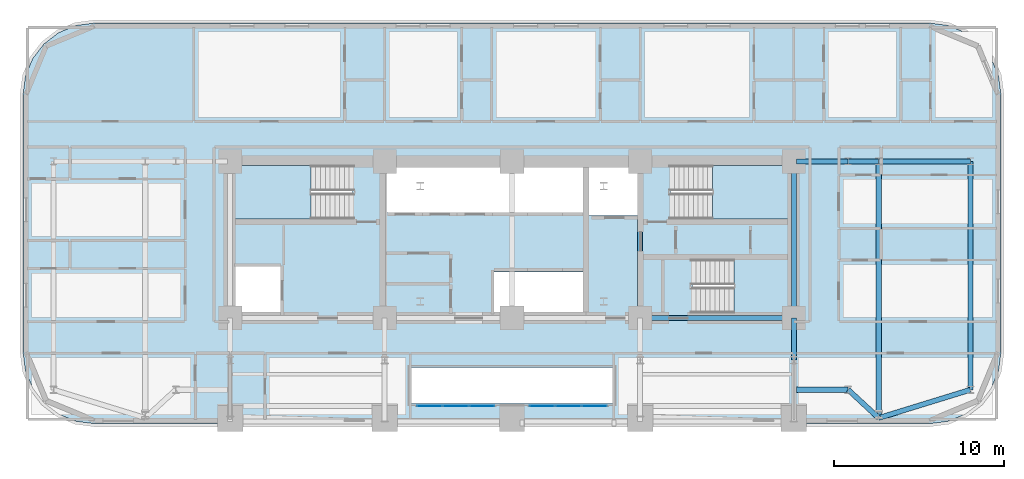
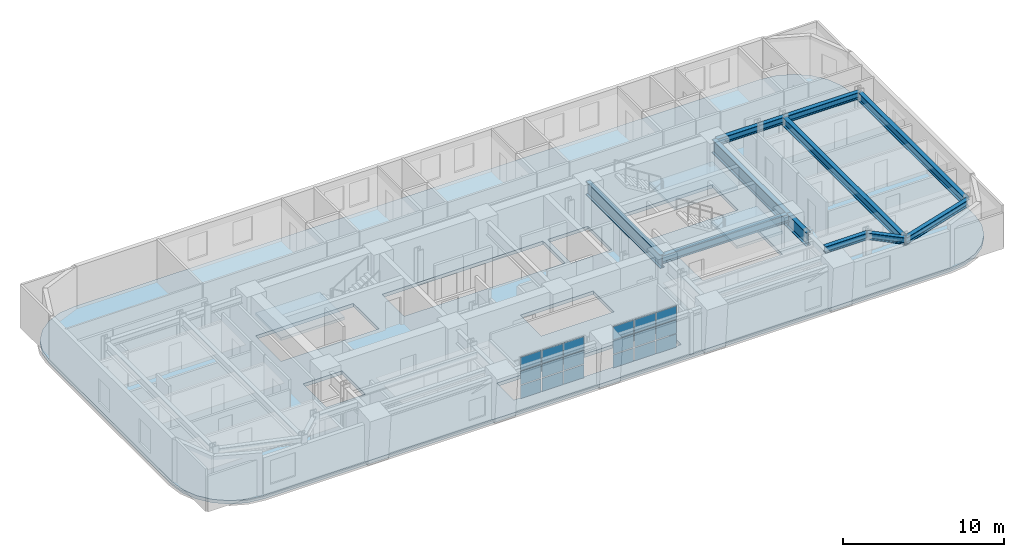
# One storey, part 5 of 16: 18 plates, 12 beams, 4 slabs, 5 elements without a shape of their own.
"""IFC4 building model written with IfcOpenShell, lengths in metres."""

import ifcopenshell
import ifcopenshell.guid

model = None  # the IFC model being written
_history = None  # IfcOwnerHistory: only IFC2X3 demands one
_inside = {}  # id of a spatial element -> (the spatial element, [elements in it])
_under = {}  # id of a project, library or spatial element -> (it, [spatial elements below it])
_declared = {}  # id of a project -> (the project, [libraries it declares])
_typed = {}  # id of a type object -> (the type object, [elements of that type])
_made_of = {}  # id of a material, layer set ... -> (it, [elements and type objects made of it])


def new_model(schema):
    """Start an empty IFC model of exactly this schema.

    Asked for "IFC4X3", IfcOpenShell would pick the latest addendum, in which some entities
    have other attributes; the version numbers below select the first issue.
    IFC2X3 requires an IfcOwnerHistory on every rooted entity: one is made here for all.
    """
    global model, _history
    if schema == "IFC4X3":
        model = ifcopenshell.file(schema_version=(4, 3, 0, 0))
    else:
        model = ifcopenshell.file(schema=schema)
    _inside.clear()
    _under.clear()
    _declared.clear()
    _typed.clear()
    _made_of.clear()
    _history = None
    if model.schema == "IFC2X3":
        org = make("IfcOrganization", Name="unknown")
        user = make(
            "IfcPersonAndOrganization",
            ThePerson=make("IfcPerson", FamilyName="unknown"),
            TheOrganization=org,
        )
        app = make(
            "IfcApplication",
            ApplicationDeveloper=org,
            Version="unknown",
            ApplicationFullName="unknown",
            ApplicationIdentifier="unknown",
        )
        _history = make(
            "IfcOwnerHistory",
            OwningUser=user,
            OwningApplication=app,
            ChangeAction="ADDED",
            CreationDate=0,
        )
    return model


def make(cls, **values):
    """One entity of the class cls with the attributes given. An attribute that is None is left unset."""
    return model.create_entity(
        cls, **{name: value for name, value in values.items() if value is not None}
    )


def rooted(cls, **values):
    """An entity with a GlobalId (a new one), such as an element, a storey or a relation."""
    return make(cls, GlobalId=ifcopenshell.guid.new(), OwnerHistory=_history, **values)


def si_unit(unit_type, name, prefix=None):
    """IfcSIUnit, for example si_unit("LENGTHUNIT", "METRE", prefix="MILLI")."""
    return make("IfcSIUnit", UnitType=unit_type, Prefix=prefix, Name=name)


def assignment(units):
    """IfcUnitAssignment: the units of a project."""
    return None if units is None else make("IfcUnitAssignment", Units=units)


def point(xyz):
    """IfcCartesianPoint."""
    return None if xyz is None else make("IfcCartesianPoint", Coordinates=xyz)


def direction(xyz):
    """IfcDirection."""
    return None if xyz is None else make("IfcDirection", DirectionRatios=xyz)


def frame(location, z_axis=None, x_axis=None):
    """IfcAxis2Placement3D, a coordinate frame: its origin and axes. An axis left out is left unset."""
    return make(
        "IfcAxis2Placement3D",
        Location=point(location),
        Axis=direction(z_axis),
        RefDirection=direction(x_axis),
    )


def frame_2d(location, x_axis=None):
    """IfcAxis2Placement2D, a coordinate frame in the plane: its origin and x axis."""
    return make(
        "IfcAxis2Placement2D", Location=point(location), RefDirection=direction(x_axis)
    )


def origin():
    """The frame at (0, 0, 0) with its axes left unset."""
    return frame((0.0, 0.0, 0.0))


def origin_2d():
    """The frame at (0, 0) in the plane with its x axis left unset."""
    return frame_2d((0.0, 0.0))


def place(relative_to, where):
    """IfcLocalPlacement: puts the frame where relative to a parent placement (None: the world)."""
    return make(
        "IfcLocalPlacement", PlacementRelTo=relative_to, RelativePlacement=where
    )


def context(
    kind, dimensions, precision=None, world=None, true_north=None, identifier=None
):
    """IfcGeometricRepresentationContext, for example the 3D "Model" context."""
    return make(
        "IfcGeometricRepresentationContext",
        ContextIdentifier=identifier,
        ContextType=kind,
        CoordinateSpaceDimension=dimensions,
        Precision=precision,
        WorldCoordinateSystem=world,
        TrueNorth=true_north,
    )


def subcontext(parent, identifier, kind, view, scale=None):
    """IfcGeometricRepresentationSubContext, for example "Body" below "Model"."""
    return make(
        "IfcGeometricRepresentationSubContext",
        ContextIdentifier=identifier,
        ContextType=kind,
        ParentContext=parent,
        TargetScale=scale,
        TargetView=view,
    )


def project(units=None, contexts=None):
    """IfcProject with its units and contexts."""
    return rooted(
        "IfcProject",
        Name="project",
        RepresentationContexts=contexts,
        UnitsInContext=assignment(units),
    )


def spatial(cls, under=None, at=None, **own):
    """A site, building, storey or space (cls), placed at a placement, below another one or the project."""
    s = rooted(cls, ObjectPlacement=at, **own)
    if under is not None:
        _under.setdefault(under.id(), (under, []))[1].append(s)
    return s


def polyline(points):
    """IfcPolyline through the points."""
    return make("IfcPolyline", Points=[point(p) for p in points])


def profile(cls, at=None, kind="AREA", **sizes):
    """A parametric profile (cls). Its sizes go by their IFC names, for example OverallWidth=200.0."""
    return make(cls, ProfileType=kind, Position=at, **sizes)


def rectangle(**sizes):
    """IfcRectangleProfileDef."""
    return profile("IfcRectangleProfileDef", **sizes)


def i_section(**sizes):
    """IfcIShapeProfileDef."""
    return profile("IfcIShapeProfileDef", **sizes)


def outline(outer, holes=None, kind="AREA"):
    """IfcArbitraryClosedProfileDef: a profile drawn as a closed curve; with holes, ...WithVoids."""
    if holes is None:
        return make("IfcArbitraryClosedProfileDef", ProfileType=kind, OuterCurve=outer)
    return make(
        "IfcArbitraryProfileDefWithVoids",
        ProfileType=kind,
        OuterCurve=outer,
        InnerCurves=holes,
    )


def extrude(swept, where, along, depth):
    """IfcExtrudedAreaSolid: the profile swept, set in the frame where, extruded along a direction by depth."""
    return make(
        "IfcExtrudedAreaSolid",
        SweptArea=swept,
        Position=where,
        ExtrudedDirection=direction(along),
        Depth=depth,
    )


def shape(context_of_items, identifier, shape_type, items):
    """IfcShapeRepresentation: the items that make up one representation, for example the "Body"."""
    return make(
        "IfcShapeRepresentation",
        ContextOfItems=context_of_items,
        RepresentationIdentifier=identifier,
        RepresentationType=shape_type,
        Items=items,
    )


def material(Name=None, Category=None):
    """IfcMaterial."""
    return make("IfcMaterial", Name=Name, Category=Category)


def layer(
    of_material, thickness, ventilated=None, Name=None, Category=None, Priority=None
):
    """IfcMaterialLayer: one layer of a wall or slab, of a material (None: an air gap)."""
    return make(
        "IfcMaterialLayer",
        Material=of_material,
        LayerThickness=thickness,
        IsVentilated=ventilated,
        Name=Name,
        Category=Category,
        Priority=Priority,
    )


def layer_set(layers, Name=None):
    """IfcMaterialLayerSet."""
    return make("IfcMaterialLayerSet", MaterialLayers=layers, LayerSetName=Name)


def material_profile(
    of_material, cross_section, Name=None, Category=None, Priority=None
):
    """IfcMaterialProfile: a cross section and its material."""
    return make(
        "IfcMaterialProfile",
        Name=Name,
        Material=of_material,
        Profile=cross_section,
        Priority=Priority,
        Category=Category,
    )


def profile_set(profiles, Name=None, composite=None):
    """IfcMaterialProfileSet."""
    return make(
        "IfcMaterialProfileSet",
        Name=Name,
        MaterialProfiles=profiles,
        CompositeProfile=composite,
    )


def made_of(thing, what):
    """Note that an element or type object is made of a material, layer set ...; save() writes the relation."""
    if what is not None:
        _made_of.setdefault(what.id(), (what, []))[1].append(thing)
    return thing


def type_object(cls, material=None, **own):
    """A type object (cls), such as IfcWallType, which elements share."""
    return made_of(rooted(cls, **own), material)


def element(
    cls,
    number,
    at=None,
    inside=None,
    cuts=None,
    type_object=None,
    material=None,
    context=None,
    identifier="Body",
    shape_type=None,
    held_by="IfcProductDefinitionShape",
    body=None,
    shapes=None,
    **own,
):
    """One element of the class cls, such as IfcWall. Its Tag is "e" and its number.

    at: its placement. inside: the storey or other place that contains it. cuts: it is an
    opening in that element (IfcRelVoidsElement). A single representation is given by context,
    identifier, shape_type and body (its items); several are given by shapes. held_by: the class
    of the entity that holds the representations. save() writes the other relations.
    """
    e = rooted(cls, Tag="e%d" % number, ObjectPlacement=at, **own)
    if body is not None:
        shapes = [shape(context, identifier, shape_type, body)]
    if shapes is not None:
        e.Representation = make(held_by, Representations=shapes)
    if inside is not None:
        _inside.setdefault(inside.id(), (inside, []))[1].append(e)
    if cuts is not None:
        rooted(
            "IfcRelVoidsElement", RelatingBuildingElement=cuts, RelatedOpeningElement=e
        )
    if type_object is not None:
        _typed.setdefault(type_object.id(), (type_object, []))[1].append(e)
    return made_of(e, material)


def aggregate(whole, parts):
    """IfcRelAggregates: a whole, such as a stair, and the parts it consists of."""
    return rooted("IfcRelAggregates", RelatingObject=whole, RelatedObjects=parts)


def save(model, path):
    """Write the relations noted so far, then the file.

    IfcRelAggregates (storeys below a building ...), IfcRelContainedInSpatialStructure (elements
    in a storey), IfcRelDefinesByType, IfcRelAssociatesMaterial and IfcRelDeclares: one each for
    every whole, place, type object, material and project.
    """
    for whole, parts in _under.values():
        aggregate(whole, parts)
    for where, things in _inside.values():
        rooted(
            "IfcRelContainedInSpatialStructure",
            RelatedElements=things,
            RelatingStructure=where,
        )
    for kind, things in _typed.values():
        rooted("IfcRelDefinesByType", RelatedObjects=things, RelatingType=kind)
    for what, things in _made_of.values():
        rooted("IfcRelAssociatesMaterial", RelatedObjects=things, RelatingMaterial=what)
    for by, libraries in _declared.values():
        rooted("IfcRelDeclares", RelatingContext=by, RelatedDefinitions=libraries)
    model.write(path)


model = new_model("IFC4")

# Units and contexts
model_context = context("Model", 3, precision=1e-05, world=origin(), true_north=direction((0.0, 1.0)))
body_context = subcontext(model_context, "Body", "Model", "MODEL_VIEW")
ifc_project = project(units=[si_unit("LENGTHUNIT", "METRE"), si_unit("AREAUNIT", "SQUARE_METRE"), si_unit("VOLUMEUNIT", "CUBIC_METRE"), si_unit("PLANEANGLEUNIT", "RADIAN"), si_unit("MASSUNIT", "GRAM", prefix="KILO")], contexts=[model_context])

# Site, building, storey
site_placement = place(None, origin())
site = spatial("IfcSite", under=ifc_project, at=site_placement, CompositionType="ELEMENT")
building_placement = place(site_placement, origin())
building = spatial("IfcBuilding", under=site, at=building_placement, Name="Zarnavel Station Tower", CompositionType="ELEMENT")
storey_placement = place(building_placement, frame((0.0, 0.0, 46.5)))
storey = spatial("IfcBuildingStorey", under=building, at=storey_placement, Name="L12", CompositionType="ELEMENT", Elevation=46.5)

# Beams
ifc_material_1 = material(Name="Steel S355J2", Category="steel")
ifc_material_profile_1 = material_profile(ifc_material_1, i_section(OverallWidth=0.300048828125, OverallDepth=0.5, WebThickness=0.014404296875, FlangeThickness=0.028076171875, FilletRadius=0.027099609375, at=origin_2d()), Name="HEB500")
ifc_profile_set_1 = profile_set([ifc_material_profile_1], Name="Steel S355J2")
beam_type_1 = type_object("IfcBeamType", Name="FG_HEB500", PredefinedType="USERDEFINED", material=ifc_profile_set_1)
for number, where, z_axis, x_axis, name in (
    (1, (45.544921875, 23.60009765625, 2.989990234375), (1.0, 0.0, 0.0), (0.0, 1.0, 0.0), "L12 East Wing South Tie 1"),
    (2, (45.544921875, 37.050048828125, 2.989990234375), (1.0, 0.0, 0.0), (0.0, 1.0, 0.0), "L12 East Wing North Tie 1"),
):
    element("IfcBeam", number, at=place(storey_placement, frame(where, z_axis=z_axis, x_axis=x_axis)), inside=storey, type_object=beam_type_1, Name=name, ObjectType="GIRDER", PredefinedType="USERDEFINED", context=body_context, shape_type="SweptSolid", body=[
        extrude(i_section(OverallWidth=0.300048828125, OverallDepth=0.5, WebThickness=0.014404296875, FlangeThickness=0.028076171875, FilletRadius=0.027099609375, at=origin_2d()), origin(), (0.0, 0.0, 1.0), 3.05517578125),
    ])
beam_1_placement = place(storey_placement, frame((48.60009765625, 23.60009765625, 2.989990234375), z_axis=(0.734600933381, -0.678499424226, 0.0), x_axis=(0.678499424226, 0.734600933381, 0.0)))
element("IfcBeam", 3, at=beam_1_placement, inside=storey, type_object=beam_type_1, Name="L12 East Wing South Tie 2", ObjectType="GIRDER", PredefinedType="USERDEFINED", context=body_context, shape_type="SweptSolid", body=[
    extrude(i_section(OverallWidth=0.300048828125, OverallDepth=0.5, WebThickness=0.014404296875, FlangeThickness=0.028076171875, FilletRadius=0.027099609375, at=origin_2d()), origin(), (0.0, 0.0, 1.0), 2.449951171875),
])
beam_2_placement = place(storey_placement, frame((48.60009765625, 37.050048828125, 2.989990234375), z_axis=(1.0, 0.0, 0.0), x_axis=(0.0, 1.0, 0.0)))
element("IfcBeam", 4, at=beam_2_placement, inside=storey, type_object=beam_type_1, Name="L12 East Wing North Tie 2", ObjectType="GIRDER", PredefinedType="USERDEFINED", context=body_context, shape_type="SweptSolid", body=[
    extrude(i_section(OverallWidth=0.300048828125, OverallDepth=0.5, WebThickness=0.014404296875, FlangeThickness=0.028076171875, FilletRadius=0.027099609375, at=origin_2d()), origin(), (0.0, 0.0, 1.0), 1.7998046875),
])
beam_3_placement = place(storey_placement, frame((50.39990234375, 21.937744140625, 2.989990234375), z_axis=(0.955740696387, 0.294210335083, 0.0), x_axis=(-0.294210335083, 0.955740696387, 0.0)))
element("IfcBeam", 5, at=beam_3_placement, inside=storey, type_object=beam_type_1, Name="L12 East Wing South Tie 3", ObjectType="GIRDER", PredefinedType="USERDEFINED", context=body_context, shape_type="SweptSolid", body=[
    extrude(i_section(OverallWidth=0.300048828125, OverallDepth=0.5, WebThickness=0.014404296875, FlangeThickness=0.028076171875, FilletRadius=0.027099609375, at=origin_2d()), origin(), (0.0, 0.0, 1.0), 5.650146484375),
])
beam_4_placement = place(storey_placement, frame((50.39990234375, 37.050048828125, 2.989990234375), z_axis=(1.0, 0.0, 0.0), x_axis=(0.0, 1.0, 0.0)))
element("IfcBeam", 6, at=beam_4_placement, inside=storey, type_object=beam_type_1, Name="L12 East Wing North Tie 3", ObjectType="GIRDER", PredefinedType="USERDEFINED", context=body_context, shape_type="SweptSolid", body=[
    extrude(i_section(OverallWidth=0.300048828125, OverallDepth=0.5, WebThickness=0.014404296875, FlangeThickness=0.028076171875, FilletRadius=0.027099609375, at=origin_2d()), origin(), (0.0, 0.0, 1.0), 5.400146484375),
])
ifc_material_2 = material(Name="Steel S355J2", Category="steel")
ifc_material_profile_2 = material_profile(ifc_material_2, i_section(OverallWidth=0.300048828125, OverallDepth=0.60009765625, WebThickness=0.015380859375, FlangeThickness=0.030029296875, FilletRadius=0.027099609375, at=origin_2d()), Name="HEB600")
ifc_profile_set_2 = profile_set([ifc_material_profile_2], Name="Steel S355J2")
beam_type_2 = type_object("IfcBeamType", Name="FG_HEB600", PredefinedType="USERDEFINED", material=ifc_profile_set_2)
beam_5_placement = place(storey_placement, frame((36.35009765625, 27.820068359375, 2.93994140625), z_axis=(1.0, 0.0, 0.0), x_axis=(0.0, 1.0, 0.0)))
element("IfcBeam", 7, at=beam_5_placement, inside=storey, type_object=beam_type_2, Name="L12 Core Front Coupling Beam 4", ObjectType="GIRDER", PredefinedType="USERDEFINED", context=body_context, shape_type="SweptSolid", body=[
    extrude(i_section(OverallWidth=0.300048828125, OverallDepth=0.60009765625, WebThickness=0.015380859375, FlangeThickness=0.030029296875, FilletRadius=0.027099609375, at=origin_2d()), origin(), (0.0, 0.0, 1.0), 9.0498046875),
])
ifc_material_3 = material(Name="Steel S355J2", Category="steel")
ifc_material_profile_3 = material_profile(ifc_material_3, i_section(OverallWidth=0.300048828125, OverallDepth=0.64990234375, WebThickness=0.01611328125, FlangeThickness=0.031005859375, FilletRadius=0.027099609375, at=origin_2d()), Name="HEB650")
ifc_profile_set_3 = profile_set([ifc_material_profile_3], Name="Steel S355J2")
beam_type_3 = type_object("IfcBeamType", Name="FG_HEB650", PredefinedType="USERDEFINED", material=ifc_profile_set_3)
beam_6_placement = place(storey_placement, frame((50.39990234375, 21.937744140625, 2.9150390625), z_axis=(0.0, 1.0, 0.0), x_axis=(-1.0, 0.0, 0.0)))
element("IfcBeam", 8, at=beam_6_placement, inside=storey, type_object=beam_type_3, Name="L12 Wing NS Girder 3", ObjectType="GIRDER", PredefinedType="USERDEFINED", context=body_context, shape_type="SweptSolid", body=[
    extrude(i_section(OverallWidth=0.300048828125, OverallDepth=0.64990234375, WebThickness=0.01611328125, FlangeThickness=0.031005859375, FilletRadius=0.027099609375, at=origin_2d()), origin(), (0.0, 0.0, 1.0), 15.1123046875),
])
beam_7_placement = place(storey_placement, frame((55.800048828125, 23.60009765625, 2.9150390625), z_axis=(0.0, 1.0, 0.0), x_axis=(-1.0, 0.0, 0.0)))
element("IfcBeam", 9, at=beam_7_placement, inside=storey, type_object=beam_type_3, Name="L12 Wing NS Girder 4", ObjectType="GIRDER", PredefinedType="USERDEFINED", context=body_context, shape_type="SweptSolid", body=[
    extrude(i_section(OverallWidth=0.300048828125, OverallDepth=0.64990234375, WebThickness=0.01611328125, FlangeThickness=0.031005859375, FilletRadius=0.027099609375, at=origin_2d()), origin(), (0.0, 0.0, 1.0), 13.449951171875),
])
ifc_material_4 = material(Name="Steel S460M", Category="steel")
ifc_material_profile_4 = material_profile(ifc_material_4, i_section(OverallWidth=0.302001953125, OverallDepth=1.008056640625, WebThickness=0.02099609375, FlangeThickness=0.0400390625, FilletRadius=0.030029296875, at=origin_2d()), Name="HEM1000")
ifc_profile_set_4 = profile_set([ifc_material_profile_4], Name="Steel S460M")
beam_type_4 = type_object("IfcBeamType", Name="TG_HEM1000", PredefinedType="USERDEFINED", material=ifc_profile_set_4)
for number, where, z_axis, x_axis, name in (
    (10, (36.35009765625, 27.820068359375, 2.736083984375), (0.0, 1.0, 0.0), (-1.0, 0.0, 0.0), "L12 Core Spine Coupling Girder 4"),
    (11, (45.39990234375, 27.820068359375, 2.736083984375), (0.0, 1.0, 0.0), (-1.0, 0.0, 0.0), "L12 Core Spine Coupling Girder 5"),
):
    element("IfcBeam", number, at=place(storey_placement, frame(where, z_axis=z_axis, x_axis=x_axis)), inside=storey, type_object=beam_type_4, Name=name, ObjectType="GIRDER", PredefinedType="USERDEFINED", context=body_context, shape_type="SweptSolid", body=[
        extrude(i_section(OverallWidth=0.302001953125, OverallDepth=1.008056640625, WebThickness=0.02099609375, FlangeThickness=0.0400390625, FilletRadius=0.030029296875, at=origin_2d()), origin(), (0.0, 0.0, 1.0), 9.22998046875),
    ])
beam_8_placement = place(storey_placement, frame((45.39990234375, 25.35009765625, 2.736083984375), z_axis=(0.0, 1.0, 0.0), x_axis=(-1.0, 0.0, 0.0)))
element("IfcBeam", 12, at=beam_8_placement, inside=storey, type_object=beam_type_4, Name="L12 Inner-Zone NS Girder 5", ObjectType="GIRDER", PredefinedType="USERDEFINED", context=body_context, shape_type="SweptSolid", body=[
    extrude(i_section(OverallWidth=0.302001953125, OverallDepth=1.008056640625, WebThickness=0.02099609375, FlangeThickness=0.0400390625, FilletRadius=0.030029296875, at=origin_2d()), origin(), (0.0, 0.0, 1.0), 2.469970703125),
])

# Curtain wall, plates
ifc_material_5 = material(Name="Aluminium Dark Anodised and Solar-Control Glass", Category="aluminium")
ifc_layer_1 = layer(ifc_material_5, 0.179931640625)
ifc_layer_set_1 = layer_set([ifc_layer_1], Name="CWS2")
curtain_wall_type = type_object("IfcCurtainWallType", Name="CWS2", PredefinedType="NOTDEFINED", material=ifc_layer_set_1)
curtain_wall_1_placement = place(storey_placement, origin())
curtain_wall_1 = element("IfcCurtainWall", 13, at=curtain_wall_1_placement, inside=storey, type_object=curtain_wall_type, Name="L12 Curtain Wall CWS2-L12-AS-S1", PredefinedType="NOTDEFINED")
ifc_material_6 = material(Name="Double Low-E Dark Solar-Control Glass", Category="glass")
ifc_layer_2 = layer(ifc_material_6, 0.028076171875)
ifc_layer_set_2 = layer_set([ifc_layer_2], Name="CWS2_PNL")
plate_type = type_object("IfcPlateType", Name="CWS2_PNL", PredefinedType="CURTAIN_PANEL", material=ifc_layer_set_2)
plate_1_placement = place(storey_placement, frame((23.943359375, 22.64990234375, 0.06005859375), z_axis=(0.0, 0.0, 1.0), x_axis=(1.0, 0.0, 0.0)))
plate_1 = element("IfcPlate", 14, at=plate_1_placement, type_object=plate_type, Name="CW2 panel 1.1", PredefinedType="CURTAIN_PANEL", context=body_context, shape_type="SweptSolid", body=[
    extrude(rectangle(XDim=1.466552734375, YDim=0.028076171875, at=origin_2d()), origin(), (0.0, 0.0, 1.0), 0.989990234375),
])
plate_2_placement = place(storey_placement, frame((23.943359375, 22.64990234375, 1.110107421875), z_axis=(0.0, 0.0, 1.0), x_axis=(1.0, 0.0, 0.0)))
plate_2 = element("IfcPlate", 15, at=plate_2_placement, type_object=plate_type, Name="CW2 panel 1.2", PredefinedType="CURTAIN_PANEL", context=body_context, shape_type="SweptSolid", body=[
    extrude(rectangle(XDim=1.466552734375, YDim=0.028076171875, at=origin_2d()), origin(), (0.0, 0.0, 1.0), 1.02001953125),
])
plate_3_placement = place(storey_placement, frame((23.943359375, 22.64990234375, 2.18994140625), z_axis=(0.0, 0.0, 1.0), x_axis=(1.0, 0.0, 0.0)))
plate_3 = element("IfcPlate", 16, at=plate_3_placement, type_object=plate_type, Name="CW2 panel 1.3", PredefinedType="CURTAIN_PANEL", context=body_context, shape_type="SweptSolid", body=[
    extrude(rectangle(XDim=1.466552734375, YDim=0.028076171875, at=origin_2d()), origin(), (0.0, 0.0, 1.0), 0.989990234375),
])
plate_4_placement = place(storey_placement, frame((25.485107421875, 22.64990234375, 0.06005859375), z_axis=(0.0, 0.0, 1.0), x_axis=(1.0, 0.0, 0.0)))
plate_4 = element("IfcPlate", 17, at=plate_4_placement, type_object=plate_type, Name="CW2 panel 2.1", PredefinedType="CURTAIN_PANEL", context=body_context, shape_type="SweptSolid", body=[
    extrude(rectangle(XDim=1.49658203125, YDim=0.028076171875, at=origin_2d()), origin(), (0.0, 0.0, 1.0), 0.989990234375),
])
plate_5_placement = place(storey_placement, frame((25.485107421875, 22.64990234375, 1.110107421875), z_axis=(0.0, 0.0, 1.0), x_axis=(1.0, 0.0, 0.0)))
plate_5 = element("IfcPlate", 18, at=plate_5_placement, type_object=plate_type, Name="CW2 panel 2.2", PredefinedType="CURTAIN_PANEL", context=body_context, shape_type="SweptSolid", body=[
    extrude(rectangle(XDim=1.49658203125, YDim=0.028076171875, at=origin_2d()), origin(), (0.0, 0.0, 1.0), 1.02001953125),
])
plate_6_placement = place(storey_placement, frame((25.485107421875, 22.64990234375, 2.18994140625), z_axis=(0.0, 0.0, 1.0), x_axis=(1.0, 0.0, 0.0)))
plate_6 = element("IfcPlate", 19, at=plate_6_placement, type_object=plate_type, Name="CW2 panel 2.3", PredefinedType="CURTAIN_PANEL", context=body_context, shape_type="SweptSolid", body=[
    extrude(rectangle(XDim=1.49658203125, YDim=0.028076171875, at=origin_2d()), origin(), (0.0, 0.0, 1.0), 0.989990234375),
])
plate_7_placement = place(storey_placement, frame((27.026611328125, 22.64990234375, 0.06005859375), z_axis=(0.0, 0.0, 1.0), x_axis=(1.0, 0.0, 0.0)))
plate_7 = element("IfcPlate", 20, at=plate_7_placement, type_object=plate_type, Name="CW2 panel 3.1", PredefinedType="CURTAIN_PANEL", context=body_context, shape_type="SweptSolid", body=[
    extrude(rectangle(XDim=1.466552734375, YDim=0.028076171875, at=origin_2d()), origin(), (0.0, 0.0, 1.0), 0.989990234375),
])
plate_8_placement = place(storey_placement, frame((27.026611328125, 22.64990234375, 1.110107421875), z_axis=(0.0, 0.0, 1.0), x_axis=(1.0, 0.0, 0.0)))
plate_8 = element("IfcPlate", 21, at=plate_8_placement, type_object=plate_type, Name="CW2 panel 3.2", PredefinedType="CURTAIN_PANEL", context=body_context, shape_type="SweptSolid", body=[
    extrude(rectangle(XDim=1.466552734375, YDim=0.028076171875, at=origin_2d()), origin(), (0.0, 0.0, 1.0), 1.02001953125),
])
plate_9_placement = place(storey_placement, frame((27.026611328125, 22.64990234375, 2.18994140625), z_axis=(0.0, 0.0, 1.0), x_axis=(1.0, 0.0, 0.0)))
plate_9 = element("IfcPlate", 22, at=plate_9_placement, type_object=plate_type, Name="CW2 panel 3.3", PredefinedType="CURTAIN_PANEL", context=body_context, shape_type="SweptSolid", body=[
    extrude(rectangle(XDim=1.466552734375, YDim=0.028076171875, at=origin_2d()), origin(), (0.0, 0.0, 1.0), 0.989990234375),
])
aggregate(curtain_wall_1, [plate_1, plate_2, plate_3, plate_4, plate_5, plate_6, plate_7, plate_8, plate_9])

curtain_wall_2_placement = place(storey_placement, origin())
curtain_wall_2 = element("IfcCurtainWall", 23, at=curtain_wall_2_placement, inside=storey, type_object=curtain_wall_type, Name="L12 Curtain Wall CWS2-L12-AS-S2", PredefinedType="NOTDEFINED")
plate_10_placement = place(storey_placement, frame((30.5732421875, 22.64990234375, 0.06005859375), z_axis=(0.0, 0.0, 1.0), x_axis=(1.0, 0.0, 0.0)))
plate_10 = element("IfcPlate", 24, at=plate_10_placement, type_object=plate_type, Name="CW2 panel 1.1", PredefinedType="CURTAIN_PANEL", context=body_context, shape_type="SweptSolid", body=[
    extrude(rectangle(XDim=1.466552734375, YDim=0.028076171875, at=origin_2d()), origin(), (0.0, 0.0, 1.0), 0.989990234375),
])
plate_11_placement = place(storey_placement, frame((30.5732421875, 22.64990234375, 1.110107421875), z_axis=(0.0, 0.0, 1.0), x_axis=(1.0, 0.0, 0.0)))
plate_11 = element("IfcPlate", 25, at=plate_11_placement, type_object=plate_type, Name="CW2 panel 1.2", PredefinedType="CURTAIN_PANEL", context=body_context, shape_type="SweptSolid", body=[
    extrude(rectangle(XDim=1.466552734375, YDim=0.028076171875, at=origin_2d()), origin(), (0.0, 0.0, 1.0), 1.02001953125),
])
plate_12_placement = place(storey_placement, frame((30.5732421875, 22.64990234375, 2.18994140625), z_axis=(0.0, 0.0, 1.0), x_axis=(1.0, 0.0, 0.0)))
plate_12 = element("IfcPlate", 26, at=plate_12_placement, type_object=plate_type, Name="CW2 panel 1.3", PredefinedType="CURTAIN_PANEL", context=body_context, shape_type="SweptSolid", body=[
    extrude(rectangle(XDim=1.466552734375, YDim=0.028076171875, at=origin_2d()), origin(), (0.0, 0.0, 1.0), 0.989990234375),
])
plate_13_placement = place(storey_placement, frame((32.114990234375, 22.64990234375, 0.06005859375), z_axis=(0.0, 0.0, 1.0), x_axis=(1.0, 0.0, 0.0)))
plate_13 = element("IfcPlate", 27, at=plate_13_placement, type_object=plate_type, Name="CW2 panel 2.1", PredefinedType="CURTAIN_PANEL", context=body_context, shape_type="SweptSolid", body=[
    extrude(rectangle(XDim=1.49658203125, YDim=0.028076171875, at=origin_2d()), origin(), (0.0, 0.0, 1.0), 0.989990234375),
])
plate_14_placement = place(storey_placement, frame((32.114990234375, 22.64990234375, 1.110107421875), z_axis=(0.0, 0.0, 1.0), x_axis=(1.0, 0.0, 0.0)))
plate_14 = element("IfcPlate", 28, at=plate_14_placement, type_object=plate_type, Name="CW2 panel 2.2", PredefinedType="CURTAIN_PANEL", context=body_context, shape_type="SweptSolid", body=[
    extrude(rectangle(XDim=1.49658203125, YDim=0.028076171875, at=origin_2d()), origin(), (0.0, 0.0, 1.0), 1.02001953125),
])
plate_15_placement = place(storey_placement, frame((32.114990234375, 22.64990234375, 2.18994140625), z_axis=(0.0, 0.0, 1.0), x_axis=(1.0, 0.0, 0.0)))
plate_15 = element("IfcPlate", 29, at=plate_15_placement, type_object=plate_type, Name="CW2 panel 2.3", PredefinedType="CURTAIN_PANEL", context=body_context, shape_type="SweptSolid", body=[
    extrude(rectangle(XDim=1.49658203125, YDim=0.028076171875, at=origin_2d()), origin(), (0.0, 0.0, 1.0), 0.989990234375),
])
plate_16_placement = place(storey_placement, frame((33.65673828125, 22.64990234375, 0.06005859375), z_axis=(0.0, 0.0, 1.0), x_axis=(1.0, 0.0, 0.0)))
plate_16 = element("IfcPlate", 30, at=plate_16_placement, type_object=plate_type, Name="CW2 panel 3.1", PredefinedType="CURTAIN_PANEL", context=body_context, shape_type="SweptSolid", body=[
    extrude(rectangle(XDim=1.466552734375, YDim=0.028076171875, at=origin_2d()), origin(), (0.0, 0.0, 1.0), 0.989990234375),
])
plate_17_placement = place(storey_placement, frame((33.65673828125, 22.64990234375, 1.110107421875), z_axis=(0.0, 0.0, 1.0), x_axis=(1.0, 0.0, 0.0)))
plate_17 = element("IfcPlate", 31, at=plate_17_placement, type_object=plate_type, Name="CW2 panel 3.2", PredefinedType="CURTAIN_PANEL", context=body_context, shape_type="SweptSolid", body=[
    extrude(rectangle(XDim=1.466552734375, YDim=0.028076171875, at=origin_2d()), origin(), (0.0, 0.0, 1.0), 1.02001953125),
])
plate_18_placement = place(storey_placement, frame((33.65673828125, 22.64990234375, 2.18994140625), z_axis=(0.0, 0.0, 1.0), x_axis=(1.0, 0.0, 0.0)))
plate_18 = element("IfcPlate", 32, at=plate_18_placement, type_object=plate_type, Name="CW2 panel 3.3", PredefinedType="CURTAIN_PANEL", context=body_context, shape_type="SweptSolid", body=[
    extrude(rectangle(XDim=1.466552734375, YDim=0.028076171875, at=origin_2d()), origin(), (0.0, 0.0, 1.0), 0.989990234375),
])
aggregate(curtain_wall_2, [plate_10, plate_11, plate_12, plate_13, plate_14, plate_15, plate_16, plate_17, plate_18])

# Slab
ifc_material_7 = material(Name="Concrete C45/55", Category="concrete")
ifc_layer_3 = layer(ifc_material_7, 0.260009765625)
ifc_layer_set_3 = layer_set([ifc_layer_3], Name="SL_FLR_260")
slab_type_1 = type_object("IfcSlabType", Name="SL_FLR_260", PredefinedType="FLOOR", material=ifc_layer_set_3)
slab_1_placement = place(storey_placement, frame((0.0, 0.0, -0.260009765625)))
element("IfcSlab", 33, at=slab_1_placement, inside=storey, type_object=slab_type_1, Name="L12 Structural Floor Slab", PredefinedType="FLOOR", context=body_context, shape_type="SweptSolid", body=[
    extrude(outline(polyline([(53.39990234375, 21.60009765625), (54.487060546875, 21.7431640625), (55.5, 22.16259765625), (56.369873046875, 22.830078125), (57.037353515625, 23.699951171875), (57.456787109375, 24.712890625), (57.60009765625, 25.800048828125), (57.60009765625, 41.0), (57.456787109375, 42.0869140625), (57.037353515625, 43.10009765625), (56.369873046875, 43.9697265625), (55.5, 44.63720703125), (54.487060546875, 45.056884765625), (53.39990234375, 45.199951171875), (4.199951171875, 45.199951171875), (3.113037109375, 45.056884765625), (2.10009765625, 44.63720703125), (1.230224609375, 43.9697265625), (0.562744140625, 43.10009765625), (0.14306640625, 42.0869140625), (0.0, 41.0), (0.0, 25.800048828125), (0.14306640625, 24.712890625), (0.562744140625, 23.699951171875), (1.230224609375, 22.830078125), (2.10009765625, 22.16259765625), (3.113037109375, 21.7431640625), (4.199951171875, 21.60009765625), (53.39990234375, 21.60009765625)]), holes=[polyline([(12.39990234375, 33.659912109375), (19.409912109375, 33.659912109375), (19.409912109375, 36.820068359375), (12.39990234375, 36.820068359375), (12.39990234375, 33.659912109375)]), polyline([(38.14990234375, 33.659912109375), (45.159912109375, 33.659912109375), (45.159912109375, 36.820068359375), (38.14990234375, 36.820068359375), (38.14990234375, 33.659912109375)]), polyline([(39.419921875, 28.1201171875), (45.14990234375, 28.1201171875), (45.14990234375, 31.280029296875), (39.419921875, 31.280029296875), (39.419921875, 28.1201171875)]), polyline([(12.35009765625, 27.949951171875), (15.14990234375, 27.949951171875), (15.14990234375, 30.85009765625), (12.35009765625, 30.85009765625), (12.35009765625, 27.949951171875)]), polyline([(33.320068359375, 33.85009765625), (36.2099609375, 33.85009765625), (36.2099609375, 36.780029296875), (33.320068359375, 36.780029296875), (33.320068359375, 33.85009765625)]), polyline([(21.449951171875, 34.050048828125), (32.97998046875, 34.050048828125), (32.97998046875, 36.780029296875), (21.449951171875, 36.780029296875), (21.449951171875, 34.050048828125)]), polyline([(27.75, 27.949951171875), (32.97998046875, 27.949951171875), (32.97998046875, 30.550048828125), (27.75, 30.550048828125), (27.75, 27.949951171875)]), polyline([(22.800048828125, 22.800048828125), (34.800048828125, 22.800048828125), (34.800048828125, 24.89990234375), (22.800048828125, 24.89990234375), (22.800048828125, 22.800048828125)])]), origin(), (0.0, 0.0, 1.0), 0.260009765625),
])

# Stair, slab
ifc_material_8 = material(Name="Concrete C45/55", Category="concrete")
stair_type = type_object("IfcStairType", Name="ST_CORE_150", PredefinedType="HALF_TURN_STAIR", material=ifc_material_8)
stair_1_placement = place(storey_placement, origin())
stair_1 = element("IfcStair", 34, at=stair_1_placement, inside=storey, type_object=stair_type, Name="L12 Core Exit Stair ST1", PredefinedType="HALF_TURN_STAIR")
ifc_material_9 = material(Name="Concrete C45/55", Category="concrete")
ifc_layer_4 = layer(ifc_material_9, 0.199951171875)
ifc_layer_set_4 = layer_set([ifc_layer_4], Name="SL_STAIR_LAND_200")
slab_type_2 = type_object("IfcSlabType", Name="SL_STAIR_LAND_200", PredefinedType="LANDING", material=ifc_layer_set_4)
slab_2_placement = place(storey_placement, frame((0.0, 0.0, 1.550048828125)))
slab_2 = element("IfcSlab", 35, at=slab_2_placement, type_object=slab_type_2, Name="ST1 landing 1", PredefinedType="LANDING", context=body_context, shape_type="SweptSolid", body=[
    extrude(outline(polyline([(16.9599609375, 36.820068359375), (12.39990234375, 36.820068359375), (12.39990234375, 33.659912109375), (16.9599609375, 33.659912109375), (16.9599609375, 36.820068359375)])), origin(), (0.0, 0.0, 1.0), 0.199951171875),
])
aggregate(stair_1, [slab_2])

stair_2_placement = place(storey_placement, origin())
stair_2 = element("IfcStair", 36, at=stair_2_placement, inside=storey, type_object=stair_type, Name="L12 Core Exit Stair ST2", PredefinedType="HALF_TURN_STAIR")
slab_3_placement = place(storey_placement, frame((0.0, 0.0, 1.550048828125)))
slab_3 = element("IfcSlab", 37, at=slab_3_placement, type_object=slab_type_2, Name="ST2 landing 1", PredefinedType="LANDING", context=body_context, shape_type="SweptSolid", body=[
    extrude(outline(polyline([(40.60009765625, 33.659912109375), (45.159912109375, 33.659912109375), (45.159912109375, 36.820068359375), (40.60009765625, 36.820068359375), (40.60009765625, 33.659912109375)])), origin(), (0.0, 0.0, 1.0), 0.199951171875),
])
aggregate(stair_2, [slab_3])

stair_3_placement = place(storey_placement, origin())
stair_3 = element("IfcStair", 38, at=stair_3_placement, inside=storey, type_object=stair_type, Name="L12 Core Exit Stair ST3", PredefinedType="HALF_TURN_STAIR")
slab_4_placement = place(storey_placement, frame((0.0, 0.0, 1.550048828125)))
slab_4 = element("IfcSlab", 39, at=slab_4_placement, type_object=slab_type_2, Name="ST3 landing 1", PredefinedType="LANDING", context=body_context, shape_type="SweptSolid", body=[
    extrude(outline(polyline([(41.8701171875, 28.1201171875), (45.14990234375, 28.1201171875), (45.14990234375, 31.280029296875), (41.8701171875, 31.280029296875), (41.8701171875, 28.1201171875)])), origin(), (0.0, 0.0, 1.0), 0.199951171875),
])
aggregate(stair_3, [slab_4])

save(model, "model.ifc")
